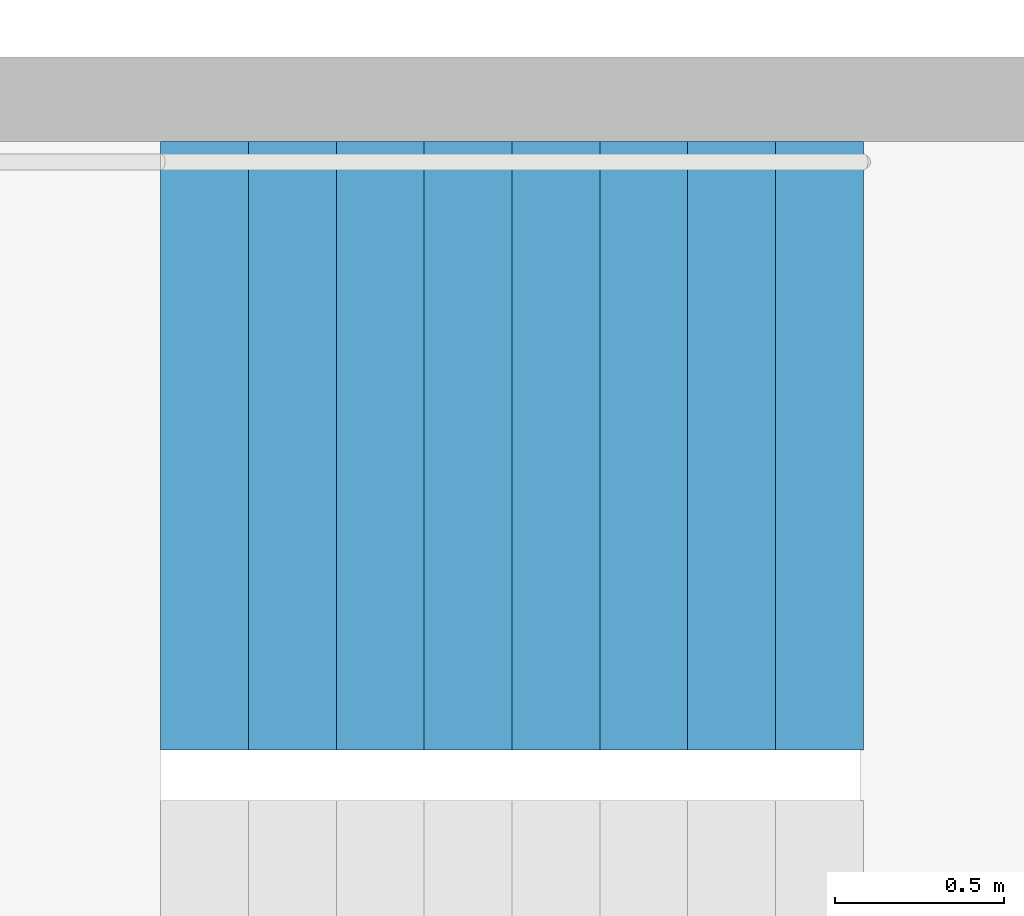
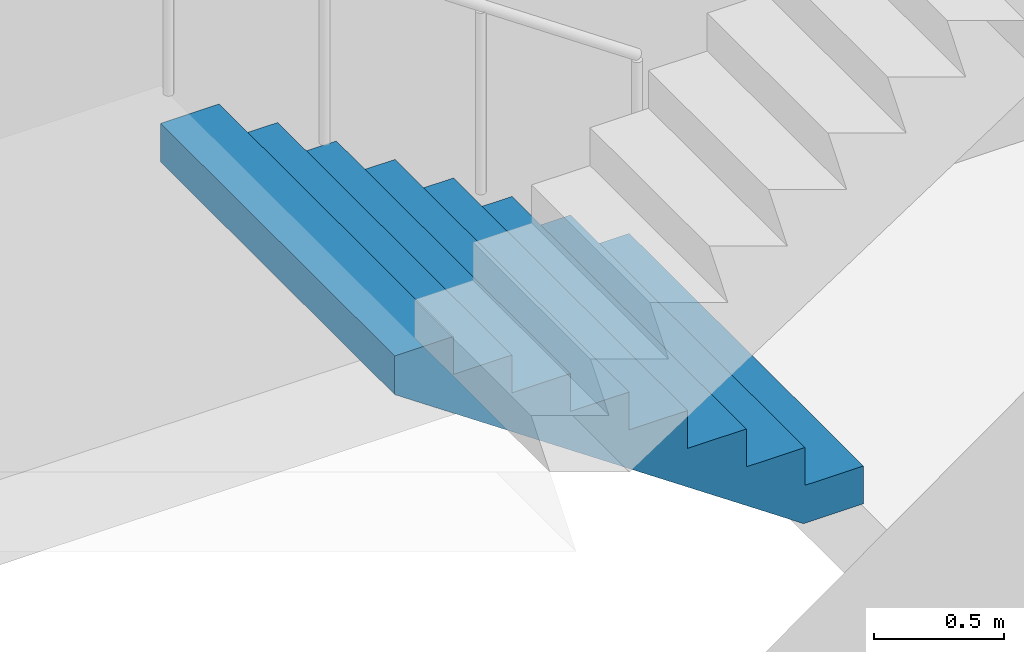
# One storey, part 22 of 29: 1 stair flight, 1 element without a shape of its own.
"""IFC4 building model written with IfcOpenShell, lengths in metres."""

from ifc_helpers import new_model, si_unit, direction, frame, origin, place, context, subcontext, project, spatial, triangles, material, type_object, element, aggregate, save


model = new_model("IFC4")

# Units and contexts
model_context = context("Model", 3, precision=1e-05, world=origin(), true_north=direction((0.0, 1.0)))
body_context = subcontext(model_context, "Body", "Model", "MODEL_VIEW")
ifc_project = project(units=[si_unit("LENGTHUNIT", "METRE"), si_unit("AREAUNIT", "SQUARE_METRE"), si_unit("VOLUMEUNIT", "CUBIC_METRE"), si_unit("PLANEANGLEUNIT", "RADIAN"), si_unit("MASSUNIT", "GRAM", prefix="KILO")], contexts=[model_context])

# Site, building, storey
site_placement = place(None, origin())
site = spatial("IfcSite", under=ifc_project, at=site_placement, CompositionType="ELEMENT")
building_placement = place(site_placement, origin())
building = spatial("IfcBuilding", under=site, at=building_placement, Name="Hakoniwa Tower and Hamabe Station Hall", CompositionType="ELEMENT")
storey_placement = place(building_placement, frame((0.0, 0.0, 23.0)))
storey = spatial("IfcBuildingStorey", under=building, at=storey_placement, Name="L05", CompositionType="ELEMENT", Elevation=23.0)

# Stair, stair flight
ifc_material_1 = material(Name="Concrete C40", Category="concrete")
stair_type = type_object("IfcStairType", Name="ESCAPE STAIR 1800", PredefinedType="HALF_TURN_STAIR", material=ifc_material_1)
stair_placement = place(storey_placement, origin())
stair = element("IfcStair", 1, at=stair_placement, inside=storey, type_object=stair_type, Name="Escape stair ST-2 L05", PredefinedType="HALF_TURN_STAIR")
ifc_material_2 = material(Name="Concrete C40", Category="concrete")
stair_flight_type = type_object("IfcStairFlightType", Name="STAIR FLIGHT 1800", PredefinedType="STRAIGHT", material=ifc_material_2)
stair_flight_placement = place(storey_placement, frame((-23.39990234375, -4.64990234375, 0.0), z_axis=(0.0, 0.0, 1.0), x_axis=(-1.0, 0.0, 0.0)))
stair_flight = element("IfcStairFlight", 2, at=stair_flight_placement, type_object=stair_flight_type, Name="ST-2 flight 1", NumberOfRisers=9, NumberOfTreads=8, PredefinedType="STRAIGHT", RiserHeight=0.177777778, TreadLength=0.26, context=body_context, shape_type="Tessellation", body=[
    triangles([(0.0, 0.89990234375, 0.0), (0.260009765625, 0.89990234375, 0.0), (0.265625, 0.89990234375, 0.0), (0.52001953125, 0.89990234375, 0.174072265625), (0.780029296875, 0.89990234375, 0.351806640625), (1.0400390625, 0.89990234375, 0.529541015625), (1.300048828125, 0.89990234375, 0.707275390625), (1.56005859375, 0.89990234375, 0.885009765625), (1.820068359375, 0.89990234375, 1.062744140625), (2.080078125, 0.89990234375, 1.24072265625), (2.080078125, 0.89990234375, 1.422119140625), (1.820068359375, 0.89990234375, 1.422119140625), (1.820068359375, 0.89990234375, 1.244384765625), (1.56005859375, 0.89990234375, 1.244384765625), (1.56005859375, 0.89990234375, 1.066650390625), (1.300048828125, 0.89990234375, 1.066650390625), (1.300048828125, 0.89990234375, 0.888916015625), (1.0400390625, 0.89990234375, 0.888916015625), (1.0400390625, 0.89990234375, 0.711181640625), (0.780029296875, 0.89990234375, 0.711181640625), (0.780029296875, 0.89990234375, 0.533447265625), (0.52001953125, 0.89990234375, 0.533447265625), (0.52001953125, 0.89990234375, 0.35546875), (0.265625, 0.89990234375, 0.35546875), (0.260009765625, 0.89990234375, 0.35546875), (0.260009765625, 0.89990234375, 0.177734375), (0.0, 0.89990234375, 0.177734375), (0.0, 0.06005859375, 0.0), (0.260009765625, 0.06005859375, 0.0), (0.265625, 0.06005859375, 0.0), (0.52001953125, 0.06005859375, 0.174072265625), (0.780029296875, 0.06005859375, 0.351806640625), (1.0400390625, 0.06005859375, 0.529541015625), (1.300048828125, 0.06005859375, 0.707275390625), (1.56005859375, 0.06005859375, 0.885009765625), (1.820068359375, 0.06005859375, 1.062744140625), (2.080078125, 0.06005859375, 1.24072265625), (2.080078125, 0.06005859375, 1.422119140625), (1.820068359375, 0.06005859375, 1.422119140625), (1.820068359375, 0.06005859375, 1.244384765625), (1.56005859375, 0.06005859375, 1.244384765625), (1.56005859375, 0.06005859375, 1.066650390625), (1.300048828125, 0.06005859375, 1.066650390625), (1.300048828125, 0.06005859375, 0.888916015625), (1.0400390625, 0.06005859375, 0.888916015625), (1.0400390625, 0.06005859375, 0.711181640625), (0.780029296875, 0.06005859375, 0.711181640625), (0.780029296875, 0.06005859375, 0.533447265625), (0.52001953125, 0.06005859375, 0.533447265625), (0.52001953125, 0.06005859375, 0.35546875), (0.265625, 0.06005859375, 0.35546875), (0.260009765625, 0.06005859375, 0.35546875), (0.260009765625, 0.06005859375, 0.177734375), (0.0, 0.06005859375, 0.177734375), (0.0, 0.04296875, 0.0), (0.260009765625, 0.04296875, 0.0), (0.265625, 0.04296875, 0.0), (0.52001953125, 0.04296875, 0.174072265625), (0.780029296875, 0.04296875, 0.351806640625), (1.0400390625, 0.04296875, 0.529541015625), (1.300048828125, 0.04296875, 0.707275390625), (1.56005859375, 0.04296875, 0.885009765625), (1.820068359375, 0.04296875, 1.062744140625), (2.080078125, 0.04296875, 1.24072265625), (2.080078125, 0.04296875, 1.422119140625), (1.820068359375, 0.04296875, 1.422119140625), (1.820068359375, 0.04296875, 1.244384765625), (1.56005859375, 0.04296875, 1.244384765625), (1.56005859375, 0.04296875, 1.066650390625), (1.300048828125, 0.04296875, 1.066650390625), (1.300048828125, 0.04296875, 0.888916015625), (1.0400390625, 0.04296875, 0.888916015625), (1.0400390625, 0.04296875, 0.711181640625), (0.780029296875, 0.04296875, 0.711181640625), (0.780029296875, 0.04296875, 0.533447265625), (0.52001953125, 0.04296875, 0.533447265625), (0.52001953125, 0.04296875, 0.35546875), (0.265625, 0.04296875, 0.35546875), (0.260009765625, 0.04296875, 0.35546875), (0.260009765625, 0.04296875, 0.177734375), (0.0, 0.04296875, 0.177734375), (0.0, 0.025634765625, 0.0), (0.260009765625, 0.025634765625, 0.0), (0.265625, 0.025634765625, 0.0), (0.52001953125, 0.025634765625, 0.174072265625), (0.780029296875, 0.025634765625, 0.351806640625), (1.0400390625, 0.025634765625, 0.529541015625), (1.300048828125, 0.025634765625, 0.707275390625), (1.56005859375, 0.025634765625, 0.885009765625), (1.820068359375, 0.025634765625, 1.062744140625), (2.080078125, 0.025634765625, 1.24072265625), (2.080078125, 0.025634765625, 1.422119140625), (1.820068359375, 0.025634765625, 1.422119140625), (1.820068359375, 0.025634765625, 1.244384765625), (1.56005859375, 0.025634765625, 1.244384765625), (1.56005859375, 0.025634765625, 1.066650390625), (1.300048828125, 0.025634765625, 1.066650390625), (1.300048828125, 0.025634765625, 0.888916015625), (1.0400390625, 0.025634765625, 0.888916015625), (1.0400390625, 0.025634765625, 0.711181640625), (0.780029296875, 0.025634765625, 0.711181640625), (0.780029296875, 0.025634765625, 0.533447265625), (0.52001953125, 0.025634765625, 0.533447265625), (0.52001953125, 0.025634765625, 0.35546875), (0.265625, 0.025634765625, 0.35546875), (0.260009765625, 0.025634765625, 0.35546875), (0.260009765625, 0.025634765625, 0.177734375), (0.0, 0.025634765625, 0.177734375), (0.0, 0.008544921875, 0.0), (0.260009765625, 0.008544921875, 0.0), (0.265625, 0.008544921875, 0.0), (0.52001953125, 0.008544921875, 0.174072265625), (0.780029296875, 0.008544921875, 0.351806640625), (1.0400390625, 0.008544921875, 0.529541015625), (1.300048828125, 0.008544921875, 0.707275390625), (1.56005859375, 0.008544921875, 0.885009765625), (1.820068359375, 0.008544921875, 1.062744140625), (2.080078125, 0.008544921875, 1.24072265625), (2.080078125, 0.008544921875, 1.422119140625), (1.820068359375, 0.008544921875, 1.422119140625), (1.820068359375, 0.008544921875, 1.244384765625), (1.56005859375, 0.008544921875, 1.244384765625), (1.56005859375, 0.008544921875, 1.066650390625), (1.300048828125, 0.008544921875, 1.066650390625), (1.300048828125, 0.008544921875, 0.888916015625), (1.0400390625, 0.008544921875, 0.888916015625), (1.0400390625, 0.008544921875, 0.711181640625), (0.780029296875, 0.008544921875, 0.711181640625), (0.780029296875, 0.008544921875, 0.533447265625), (0.52001953125, 0.008544921875, 0.533447265625), (0.52001953125, 0.008544921875, 0.35546875), (0.265625, 0.008544921875, 0.35546875), (0.260009765625, 0.008544921875, 0.35546875), (0.260009765625, 0.008544921875, 0.177734375), (0.0, 0.008544921875, 0.177734375), (0.0, -0.008544921875, 0.0), (0.260009765625, -0.008544921875, 0.0), (0.265625, -0.008544921875, 0.0), (0.52001953125, -0.008544921875, 0.174072265625), (0.780029296875, -0.008544921875, 0.351806640625), (1.0400390625, -0.008544921875, 0.529541015625), (1.300048828125, -0.008544921875, 0.707275390625), (1.56005859375, -0.008544921875, 0.885009765625), (1.820068359375, -0.008544921875, 1.062744140625), (2.080078125, -0.008544921875, 1.24072265625), (2.080078125, -0.008544921875, 1.422119140625), (1.820068359375, -0.008544921875, 1.422119140625), (1.820068359375, -0.008544921875, 1.244384765625), (1.56005859375, -0.008544921875, 1.244384765625), (1.56005859375, -0.008544921875, 1.066650390625), (1.300048828125, -0.008544921875, 1.066650390625), (1.300048828125, -0.008544921875, 0.888916015625), (1.0400390625, -0.008544921875, 0.888916015625), (1.0400390625, -0.008544921875, 0.711181640625), (0.780029296875, -0.008544921875, 0.711181640625), (0.780029296875, -0.008544921875, 0.533447265625), (0.52001953125, -0.008544921875, 0.533447265625), (0.52001953125, -0.008544921875, 0.35546875), (0.265625, -0.008544921875, 0.35546875), (0.260009765625, -0.008544921875, 0.35546875), (0.260009765625, -0.008544921875, 0.177734375), (0.0, -0.008544921875, 0.177734375), (0.0, -0.025634765625, 0.0), (0.260009765625, -0.025634765625, 0.0), (0.265625, -0.025634765625, 0.0), (0.52001953125, -0.025634765625, 0.174072265625), (0.780029296875, -0.025634765625, 0.351806640625), (1.0400390625, -0.025634765625, 0.529541015625), (1.300048828125, -0.025634765625, 0.707275390625), (1.56005859375, -0.025634765625, 0.885009765625), (1.820068359375, -0.025634765625, 1.062744140625), (2.080078125, -0.025634765625, 1.24072265625), (2.080078125, -0.025634765625, 1.422119140625), (1.820068359375, -0.025634765625, 1.422119140625), (1.820068359375, -0.025634765625, 1.244384765625), (1.56005859375, -0.025634765625, 1.244384765625), (1.56005859375, -0.025634765625, 1.066650390625), (1.300048828125, -0.025634765625, 1.066650390625), (1.300048828125, -0.025634765625, 0.888916015625), (1.0400390625, -0.025634765625, 0.888916015625), (1.0400390625, -0.025634765625, 0.711181640625), (0.780029296875, -0.025634765625, 0.711181640625), (0.780029296875, -0.025634765625, 0.533447265625), (0.52001953125, -0.025634765625, 0.533447265625), (0.52001953125, -0.025634765625, 0.35546875), (0.265625, -0.025634765625, 0.35546875), (0.260009765625, -0.025634765625, 0.35546875), (0.260009765625, -0.025634765625, 0.177734375), (0.0, -0.025634765625, 0.177734375), (0.0, -0.04296875, 0.0), (0.260009765625, -0.04296875, 0.0), (0.265625, -0.04296875, 0.0), (0.52001953125, -0.04296875, 0.174072265625), (0.780029296875, -0.04296875, 0.351806640625), (1.0400390625, -0.04296875, 0.529541015625), (1.300048828125, -0.04296875, 0.707275390625), (1.56005859375, -0.04296875, 0.885009765625), (1.820068359375, -0.04296875, 1.062744140625), (2.080078125, -0.04296875, 1.24072265625), (2.080078125, -0.04296875, 1.422119140625), (1.820068359375, -0.04296875, 1.422119140625), (1.820068359375, -0.04296875, 1.244384765625), (1.56005859375, -0.04296875, 1.244384765625), (1.56005859375, -0.04296875, 1.066650390625), (1.300048828125, -0.04296875, 1.066650390625), (1.300048828125, -0.04296875, 0.888916015625), (1.0400390625, -0.04296875, 0.888916015625), (1.0400390625, -0.04296875, 0.711181640625), (0.780029296875, -0.04296875, 0.711181640625), (0.780029296875, -0.04296875, 0.533447265625), (0.52001953125, -0.04296875, 0.533447265625), (0.52001953125, -0.04296875, 0.35546875), (0.265625, -0.04296875, 0.35546875), (0.260009765625, -0.04296875, 0.35546875), (0.260009765625, -0.04296875, 0.177734375), (0.0, -0.04296875, 0.177734375), (0.0, -0.06005859375, 0.0), (0.260009765625, -0.06005859375, 0.0), (0.265625, -0.06005859375, 0.0), (0.52001953125, -0.06005859375, 0.174072265625), (0.780029296875, -0.06005859375, 0.351806640625), (1.0400390625, -0.06005859375, 0.529541015625), (1.300048828125, -0.06005859375, 0.707275390625), (1.56005859375, -0.06005859375, 0.885009765625), (1.820068359375, -0.06005859375, 1.062744140625), (2.080078125, -0.06005859375, 1.24072265625), (2.080078125, -0.06005859375, 1.422119140625), (1.820068359375, -0.06005859375, 1.422119140625), (1.820068359375, -0.06005859375, 1.244384765625), (1.56005859375, -0.06005859375, 1.244384765625), (1.56005859375, -0.06005859375, 1.066650390625), (1.300048828125, -0.06005859375, 1.066650390625), (1.300048828125, -0.06005859375, 0.888916015625), (1.0400390625, -0.06005859375, 0.888916015625), (1.0400390625, -0.06005859375, 0.711181640625), (0.780029296875, -0.06005859375, 0.711181640625), (0.780029296875, -0.06005859375, 0.533447265625), (0.52001953125, -0.06005859375, 0.533447265625), (0.52001953125, -0.06005859375, 0.35546875), (0.265625, -0.06005859375, 0.35546875), (0.260009765625, -0.06005859375, 0.35546875), (0.260009765625, -0.06005859375, 0.177734375), (0.0, -0.06005859375, 0.177734375), (0.0, -0.89990234375, 0.0), (0.260009765625, -0.89990234375, 0.0), (0.265625, -0.89990234375, 0.0), (0.52001953125, -0.89990234375, 0.174072265625), (0.780029296875, -0.89990234375, 0.351806640625), (1.0400390625, -0.89990234375, 0.529541015625), (1.300048828125, -0.89990234375, 0.707275390625), (1.56005859375, -0.89990234375, 0.885009765625), (1.820068359375, -0.89990234375, 1.062744140625), (2.080078125, -0.89990234375, 1.24072265625), (2.080078125, -0.89990234375, 1.422119140625), (1.820068359375, -0.89990234375, 1.422119140625), (1.820068359375, -0.89990234375, 1.244384765625), (1.56005859375, -0.89990234375, 1.244384765625), (1.56005859375, -0.89990234375, 1.066650390625), (1.300048828125, -0.89990234375, 1.066650390625), (1.300048828125, -0.89990234375, 0.888916015625), (1.0400390625, -0.89990234375, 0.888916015625), (1.0400390625, -0.89990234375, 0.711181640625), (0.780029296875, -0.89990234375, 0.711181640625), (0.780029296875, -0.89990234375, 0.533447265625), (0.52001953125, -0.89990234375, 0.533447265625), (0.52001953125, -0.89990234375, 0.35546875), (0.265625, -0.89990234375, 0.35546875), (0.260009765625, -0.89990234375, 0.35546875), (0.260009765625, -0.89990234375, 0.177734375), (0.0, -0.89990234375, 0.177734375)], [[2, 27, 26], [245, 269, 270], [2, 1, 27], [245, 270, 244], [3, 25, 24], [246, 267, 268], [3, 26, 25], [246, 268, 269], [3, 2, 26], [246, 269, 245], [4, 24, 23], [247, 266, 267], [4, 3, 24], [247, 267, 246], [5, 22, 21], [248, 264, 265], [5, 23, 22], [248, 265, 266], [5, 4, 23], [248, 266, 247], [6, 20, 19], [249, 262, 263], [6, 21, 20], [249, 263, 264], [6, 5, 21], [249, 264, 248], [7, 18, 17], [250, 260, 261], [7, 19, 18], [250, 261, 262], [7, 6, 19], [250, 262, 249], [8, 16, 15], [251, 258, 259], [8, 17, 16], [251, 259, 260], [8, 7, 17], [251, 260, 250], [9, 14, 13], [252, 256, 257], [9, 15, 14], [252, 257, 258], [9, 8, 15], [252, 258, 251], [10, 12, 11], [253, 254, 255], [10, 13, 12], [253, 255, 256], [10, 9, 13], [253, 256, 252], [1, 2, 29], [1, 29, 28], [28, 29, 56], [28, 56, 55], [55, 56, 83], [55, 83, 82], [82, 83, 110], [82, 110, 109], [109, 110, 137], [109, 137, 136], [136, 137, 164], [136, 164, 163], [163, 164, 191], [163, 191, 190], [190, 191, 218], [190, 218, 217], [217, 218, 245], [217, 245, 244], [2, 3, 30], [2, 30, 29], [29, 30, 57], [29, 57, 56], [56, 57, 84], [56, 84, 83], [83, 84, 111], [83, 111, 110], [110, 111, 138], [110, 138, 137], [137, 138, 165], [137, 165, 164], [164, 165, 192], [164, 192, 191], [191, 192, 219], [191, 219, 218], [218, 219, 246], [218, 246, 245], [3, 4, 31], [3, 31, 30], [30, 31, 58], [30, 58, 57], [57, 58, 85], [57, 85, 84], [84, 85, 112], [84, 112, 111], [111, 112, 139], [111, 139, 138], [138, 139, 166], [138, 166, 165], [165, 166, 193], [165, 193, 192], [192, 193, 220], [192, 220, 219], [219, 220, 247], [219, 247, 246], [4, 5, 32], [4, 32, 31], [31, 32, 59], [31, 59, 58], [58, 59, 86], [58, 86, 85], [85, 86, 113], [85, 113, 112], [112, 113, 140], [112, 140, 139], [139, 140, 167], [139, 167, 166], [166, 167, 194], [166, 194, 193], [193, 194, 221], [193, 221, 220], [220, 221, 248], [220, 248, 247], [5, 6, 33], [5, 33, 32], [32, 33, 60], [32, 60, 59], [59, 60, 87], [59, 87, 86], [86, 87, 114], [86, 114, 113], [113, 114, 141], [113, 141, 140], [140, 141, 168], [140, 168, 167], [167, 168, 195], [167, 195, 194], [194, 195, 222], [194, 222, 221], [221, 222, 249], [221, 249, 248], [6, 7, 34], [6, 34, 33], [33, 34, 61], [33, 61, 60], [60, 61, 88], [60, 88, 87], [87, 88, 115], [87, 115, 114], [114, 115, 142], [114, 142, 141], [141, 142, 169], [141, 169, 168], [168, 169, 196], [168, 196, 195], [195, 196, 223], [195, 223, 222], [222, 223, 250], [222, 250, 249], [7, 8, 35], [7, 35, 34], [34, 35, 62], [34, 62, 61], [61, 62, 89], [61, 89, 88], [88, 89, 116], [88, 116, 115], [115, 116, 143], [115, 143, 142], [142, 143, 170], [142, 170, 169], [169, 170, 197], [169, 197, 196], [196, 197, 224], [196, 224, 223], [223, 224, 251], [223, 251, 250], [8, 9, 36], [8, 36, 35], [35, 36, 63], [35, 63, 62], [62, 63, 90], [62, 90, 89], [89, 90, 117], [89, 117, 116], [116, 117, 144], [116, 144, 143], [143, 144, 171], [143, 171, 170], [170, 171, 198], [170, 198, 197], [197, 198, 225], [197, 225, 224], [224, 225, 252], [224, 252, 251], [9, 10, 37], [9, 37, 36], [36, 37, 64], [36, 64, 63], [63, 64, 91], [63, 91, 90], [90, 91, 118], [90, 118, 117], [117, 118, 145], [117, 145, 144], [144, 145, 172], [144, 172, 171], [171, 172, 199], [171, 199, 198], [198, 199, 226], [198, 226, 225], [225, 226, 253], [225, 253, 252], [10, 11, 38], [10, 38, 37], [37, 38, 65], [37, 65, 64], [64, 65, 92], [64, 92, 91], [91, 92, 119], [91, 119, 118], [118, 119, 146], [118, 146, 145], [145, 146, 173], [145, 173, 172], [172, 173, 200], [172, 200, 199], [199, 200, 227], [199, 227, 226], [226, 227, 254], [226, 254, 253], [11, 12, 39], [11, 39, 38], [38, 39, 66], [38, 66, 65], [65, 66, 93], [65, 93, 92], [92, 93, 120], [92, 120, 119], [119, 120, 147], [119, 147, 146], [146, 147, 174], [146, 174, 173], [173, 174, 201], [173, 201, 200], [200, 201, 228], [200, 228, 227], [227, 228, 255], [227, 255, 254], [12, 13, 40], [12, 40, 39], [39, 40, 67], [39, 67, 66], [66, 67, 94], [66, 94, 93], [93, 94, 121], [93, 121, 120], [120, 121, 148], [120, 148, 147], [147, 148, 175], [147, 175, 174], [174, 175, 202], [174, 202, 201], [201, 202, 229], [201, 229, 228], [228, 229, 256], [228, 256, 255], [13, 14, 41], [13, 41, 40], [40, 41, 68], [40, 68, 67], [67, 68, 95], [67, 95, 94], [94, 95, 122], [94, 122, 121], [121, 122, 149], [121, 149, 148], [148, 149, 176], [148, 176, 175], [175, 176, 203], [175, 203, 202], [202, 203, 230], [202, 230, 229], [229, 230, 257], [229, 257, 256], [14, 15, 42], [14, 42, 41], [41, 42, 69], [41, 69, 68], [68, 69, 96], [68, 96, 95], [95, 96, 123], [95, 123, 122], [122, 123, 150], [122, 150, 149], [149, 150, 177], [149, 177, 176], [176, 177, 204], [176, 204, 203], [203, 204, 231], [203, 231, 230], [230, 231, 258], [230, 258, 257], [15, 16, 43], [15, 43, 42], [42, 43, 70], [42, 70, 69], [69, 70, 97], [69, 97, 96], [96, 97, 124], [96, 124, 123], [123, 124, 151], [123, 151, 150], [150, 151, 178], [150, 178, 177], [177, 178, 205], [177, 205, 204], [204, 205, 232], [204, 232, 231], [231, 232, 259], [231, 259, 258], [16, 17, 44], [16, 44, 43], [43, 44, 71], [43, 71, 70], [70, 71, 98], [70, 98, 97], [97, 98, 125], [97, 125, 124], [124, 125, 152], [124, 152, 151], [151, 152, 179], [151, 179, 178], [178, 179, 206], [178, 206, 205], [205, 206, 233], [205, 233, 232], [232, 233, 260], [232, 260, 259], [17, 18, 45], [17, 45, 44], [44, 45, 72], [44, 72, 71], [71, 72, 99], [71, 99, 98], [98, 99, 126], [98, 126, 125], [125, 126, 153], [125, 153, 152], [152, 153, 180], [152, 180, 179], [179, 180, 207], [179, 207, 206], [206, 207, 234], [206, 234, 233], [233, 234, 261], [233, 261, 260], [18, 19, 46], [18, 46, 45], [45, 46, 73], [45, 73, 72], [72, 73, 100], [72, 100, 99], [99, 100, 127], [99, 127, 126], [126, 127, 154], [126, 154, 153], [153, 154, 181], [153, 181, 180], [180, 181, 208], [180, 208, 207], [207, 208, 235], [207, 235, 234], [234, 235, 262], [234, 262, 261], [19, 20, 47], [19, 47, 46], [46, 47, 74], [46, 74, 73], [73, 74, 101], [73, 101, 100], [100, 101, 128], [100, 128, 127], [127, 128, 155], [127, 155, 154], [154, 155, 182], [154, 182, 181], [181, 182, 209], [181, 209, 208], [208, 209, 236], [208, 236, 235], [235, 236, 263], [235, 263, 262], [20, 21, 48], [20, 48, 47], [47, 48, 75], [47, 75, 74], [74, 75, 102], [74, 102, 101], [101, 102, 129], [101, 129, 128], [128, 129, 156], [128, 156, 155], [155, 156, 183], [155, 183, 182], [182, 183, 210], [182, 210, 209], [209, 210, 237], [209, 237, 236], [236, 237, 264], [236, 264, 263], [21, 22, 49], [21, 49, 48], [48, 49, 76], [48, 76, 75], [75, 76, 103], [75, 103, 102], [102, 103, 130], [102, 130, 129], [129, 130, 157], [129, 157, 156], [156, 157, 184], [156, 184, 183], [183, 184, 211], [183, 211, 210], [210, 211, 238], [210, 238, 237], [237, 238, 265], [237, 265, 264], [22, 23, 50], [22, 50, 49], [49, 50, 77], [49, 77, 76], [76, 77, 104], [76, 104, 103], [103, 104, 131], [103, 131, 130], [130, 131, 158], [130, 158, 157], [157, 158, 185], [157, 185, 184], [184, 185, 212], [184, 212, 211], [211, 212, 239], [211, 239, 238], [238, 239, 266], [238, 266, 265], [23, 24, 51], [23, 51, 50], [50, 51, 78], [50, 78, 77], [77, 78, 105], [77, 105, 104], [104, 105, 132], [104, 132, 131], [131, 132, 159], [131, 159, 158], [158, 159, 186], [158, 186, 185], [185, 186, 213], [185, 213, 212], [212, 213, 240], [212, 240, 239], [239, 240, 267], [239, 267, 266], [24, 25, 52], [24, 52, 51], [51, 52, 79], [51, 79, 78], [78, 79, 106], [78, 106, 105], [105, 106, 133], [105, 133, 132], [132, 133, 160], [132, 160, 159], [159, 160, 187], [159, 187, 186], [186, 187, 214], [186, 214, 213], [213, 214, 241], [213, 241, 240], [240, 241, 268], [240, 268, 267], [25, 26, 53], [25, 53, 52], [52, 53, 80], [52, 80, 79], [79, 80, 107], [79, 107, 106], [106, 107, 134], [106, 134, 133], [133, 134, 161], [133, 161, 160], [160, 161, 188], [160, 188, 187], [187, 188, 215], [187, 215, 214], [214, 215, 242], [214, 242, 241], [241, 242, 269], [241, 269, 268], [26, 27, 54], [26, 54, 53], [53, 54, 81], [53, 81, 80], [80, 81, 108], [80, 108, 107], [107, 108, 135], [107, 135, 134], [134, 135, 162], [134, 162, 161], [161, 162, 189], [161, 189, 188], [188, 189, 216], [188, 216, 215], [215, 216, 243], [215, 243, 242], [242, 243, 270], [242, 270, 269], [27, 1, 28], [27, 28, 54], [54, 28, 55], [54, 55, 81], [81, 55, 82], [81, 82, 108], [108, 82, 109], [108, 109, 135], [135, 109, 136], [135, 136, 162], [162, 136, 163], [162, 163, 189], [189, 163, 190], [189, 190, 216], [216, 190, 217], [216, 217, 243], [243, 217, 244], [243, 244, 270]], closed=True),
])
aggregate(stair, [stair_flight])

save(model, "model.ifc")
